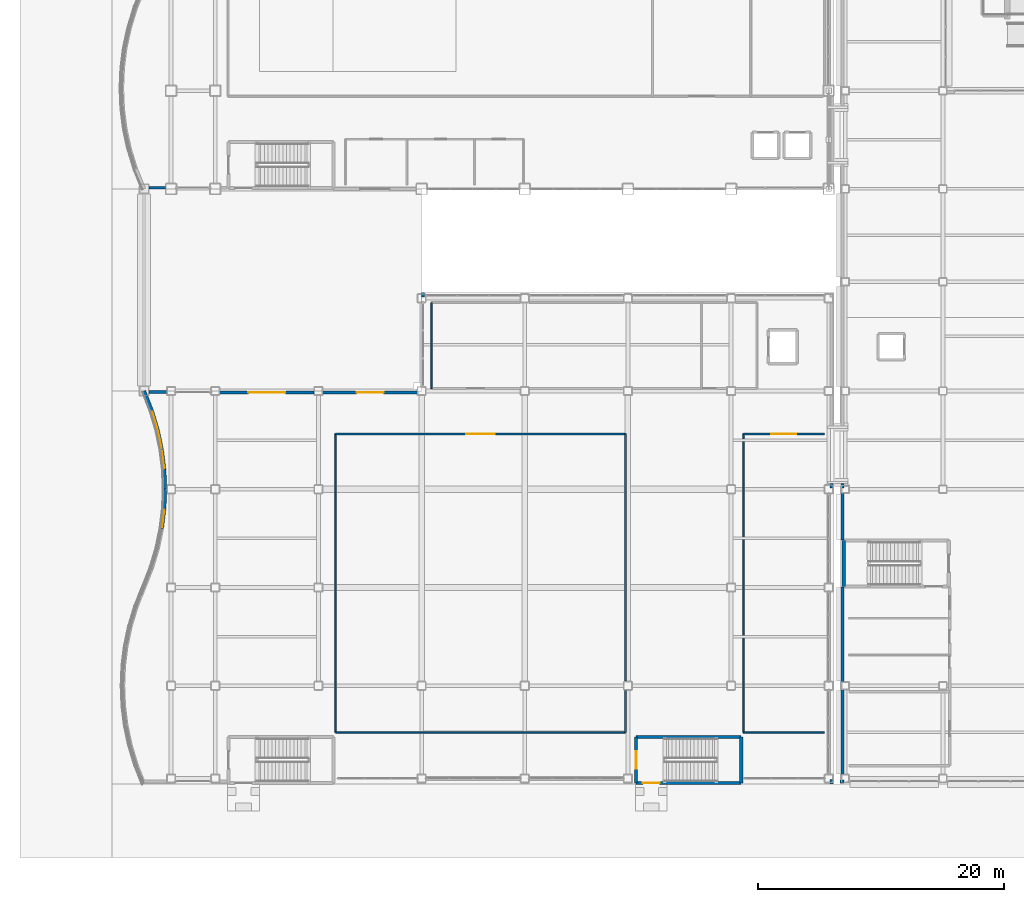
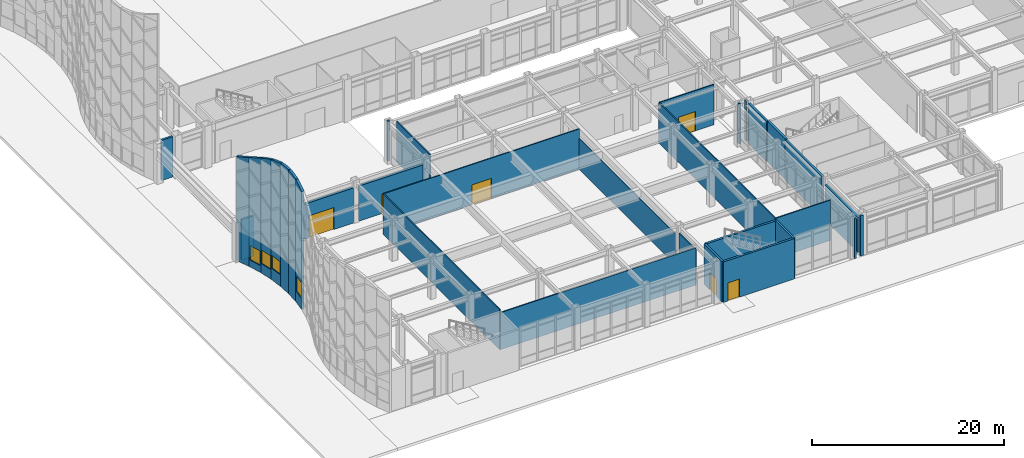
# One storey, part 125 of 165: 33 walls, 6 doors, 4 windows, 10 openings.
"""IFC4 building model written with IfcOpenShell, lengths in metres."""

from ifc_helpers import new_model, si_unit, direction, frame, frame_2d, origin, place, context, subcontext, project, spatial, polyline, rectangle, outline, extrude, material, layer, layer_set, type_object, element, fill, save


model = new_model("IFC4")

# Units and contexts
model_context = context("Model", 3, precision=1e-05, world=origin(), true_north=direction((0.0, 1.0)))
body_context = subcontext(model_context, "Body", "Model", "MODEL_VIEW")
ifc_project = project(units=[si_unit("LENGTHUNIT", "METRE"), si_unit("AREAUNIT", "SQUARE_METRE"), si_unit("VOLUMEUNIT", "CUBIC_METRE"), si_unit("PLANEANGLEUNIT", "RADIAN"), si_unit("MASSUNIT", "GRAM", prefix="KILO")], contexts=[model_context])

# Site, building, storey
site_placement = place(None, origin())
site = spatial("IfcSite", under=ifc_project, at=site_placement, CompositionType="ELEMENT")
building_placement = place(site_placement, origin())
building = spatial("IfcBuilding", under=site, at=building_placement, Name="Kazehara Bluff Congress Hotel", CompositionType="ELEMENT")
storey_placement = place(building_placement, origin())
storey = spatial("IfcBuildingStorey", under=building, at=storey_placement, Name="L00", CompositionType="ELEMENT", Elevation=0.0)

# Wall, opening, door
ifc_material_1 = material(Name="Concrete C40/50", Category="concrete")
ifc_layer_1 = layer(ifc_material_1, 0.25)
ifc_layer_set_1 = layer_set([ifc_layer_1], Name="Concrete C40/50")
wall_type_1 = type_object("IfcWallType", Name="TP-CW-RC", PredefinedType="SHEAR", material=ifc_layer_set_1)
wall_1_placement = place(storey_placement, frame((42.675048828125, 0.074951171875, 0.0), z_axis=(0.0, 0.0, 1.0), x_axis=(0.0, 1.0, 0.0)))
wall_1 = element("IfcWall", 1, at=wall_1_placement, inside=storey, type_object=wall_type_1, Name="L00 ST-05 core wall near", PredefinedType="SHEAR", context=body_context, shape_type="SweptSolid", body=[
    extrude(rectangle(XDim=3.75, YDim=0.25, at=frame_2d((1.875, 0.0))), origin(), (0.0, 0.0, 1.0), 5.14990234375),
])
opening_1_placement = place(wall_1_placement, frame((1.175048828125, 0.0, 0.0)))
opening_1 = element("IfcOpeningElement", 2, at=opening_1_placement, cuts=wall_1, Name="Opening FD-03", PredefinedType="OPENING", context=body_context, shape_type="SweptSolid", body=[
    extrude(rectangle(XDim=1.39990234375, YDim=2.25, at=frame_2d((0.699951171875, 1.125))), frame((0.0, 0.135009765625, 0.0), z_axis=(0.0, -1.0, 0.0), x_axis=(1.0, 0.0, 0.0)), (0.0, 0.0, 1.0), 0.27001953125),
])
ifc_material_2 = material(Name="Fire-rated painted steel leaf", Category="steel")
door_type_1 = type_object("IfcDoorType", Name="TP-FD-03", OperationType="NOTDEFINED", PredefinedType="DOOR", material=ifc_material_2)
door_1_placement = place(opening_1_placement, origin())
door_1 = element("IfcDoor", 3, at=door_1_placement, inside=storey, type_object=door_type_1, Name="L00 ST-05 fire stair door", OperationType="SINGLE_SWING_RIGHT", OverallHeight=2.25, OverallWidth=1.39990234375, PredefinedType="DOOR", context=body_context, shape_type="SweptSolid", body=[
    extrude(rectangle(XDim=1.39990234375, YDim=2.25, at=frame_2d((0.699951171875, 1.125))), frame((0.0, 0.02490234375, 0.0), z_axis=(0.0, -1.0, 0.0), x_axis=(1.0, 0.0, 0.0)), (0.0, 0.0, 1.0), 0.050048828125),
])
fill(opening_1, door_1)

# Wall
wall_2_placement = place(storey_placement, frame((51.22509765625, 3.824951171875, 0.0), z_axis=(0.0, 0.0, 1.0), x_axis=(0.0, -1.0, 0.0)))
element("IfcWall", 4, at=wall_2_placement, inside=storey, type_object=wall_type_1, Name="L00 ST-05 core wall far", PredefinedType="SHEAR", context=body_context, shape_type="SweptSolid", body=[
    extrude(rectangle(XDim=3.75, YDim=0.25, at=frame_2d((1.875, 0.0))), origin(), (0.0, 0.0, 1.0), 5.14990234375),
])

# Wall, opening, door
wall_3_placement = place(storey_placement, frame((51.22509765625, 0.074951171875, 0.0), z_axis=(0.0, 0.0, 1.0), x_axis=(-1.0, 0.0, 0.0)))
wall_3 = element("IfcWall", 5, at=wall_3_placement, inside=storey, type_object=wall_type_1, Name="L00 ST-05 core wall left", PredefinedType="SHEAR", context=body_context, shape_type="SweptSolid", body=[
    extrude(rectangle(XDim=8.550048828125, YDim=0.25, at=frame_2d((4.27490234375, 0.0))), origin(), (0.0, 0.0, 1.0), 5.14990234375),
])
opening_2_placement = place(wall_3_placement, frame((6.64990234375, 0.0, 0.0)))
opening_2 = element("IfcOpeningElement", 6, at=opening_2_placement, cuts=wall_3, Name="Opening ED-09", PredefinedType="OPENING", context=body_context, shape_type="SweptSolid", body=[
    extrude(rectangle(XDim=1.35009765625, YDim=2.300048828125, at=frame_2d((0.675048828125, 1.14990234375))), frame((0.0, 0.135009765625, 0.0), z_axis=(0.0, -1.0, 0.0), x_axis=(1.0, 0.0, 0.0)), (0.0, 0.0, 1.0), 0.27001953125),
])
ifc_material_3 = material(Name="Anodised aluminium", Category="aluminium")
door_type_2 = type_object("IfcDoorType", Name="TP-ED-09", OperationType="NOTDEFINED", PredefinedType="DOOR", material=ifc_material_3)
door_2_placement = place(opening_2_placement, origin())
door_2 = element("IfcDoor", 7, at=door_2_placement, inside=storey, type_object=door_type_2, Name="Escape Stair ST-05 final exit discharge door", OperationType="SINGLE_SWING_RIGHT", OverallHeight=2.300048828125, OverallWidth=1.35009765625, PredefinedType="DOOR", context=body_context, shape_type="SweptSolid", body=[
    extrude(rectangle(XDim=1.35009765625, YDim=2.300048828125, at=frame_2d((0.675048828125, 1.14990234375))), frame((0.0, 0.02490234375, 0.0), z_axis=(0.0, -1.0, 0.0), x_axis=(1.0, 0.0, 0.0)), (0.0, 0.0, 1.0), 0.050048828125),
])
fill(opening_2, door_2)

# Walls
wall_4_placement = place(storey_placement, frame((42.675048828125, 3.824951171875, 0.0), z_axis=(0.0, 0.0, 1.0), x_axis=(1.0, 0.0, 0.0)))
element("IfcWall", 8, at=wall_4_placement, inside=storey, type_object=wall_type_1, Name="L00 ST-05 core wall right", PredefinedType="SHEAR", context=body_context, shape_type="SweptSolid", body=[
    extrude(rectangle(XDim=8.550048828125, YDim=0.25, at=frame_2d((4.27490234375, 0.0))), origin(), (0.0, 0.0, 1.0), 5.14990234375),
])
wall_5_placement = place(storey_placement, frame((59.574951171875, 16.074951171875, 0.0), z_axis=(0.0, 0.0, 1.0), x_axis=(0.0, 1.0, 0.0)))
element("IfcWall", 9, at=wall_5_placement, inside=storey, type_object=wall_type_1, Name="L00 ST-08 core wall far", PredefinedType="SHEAR", context=body_context, shape_type="SweptSolid", body=[
    extrude(rectangle(XDim=3.75, YDim=0.25, at=frame_2d((1.875, 0.0))), origin(), (0.0, 0.0, 1.0), 5.14990234375),
])
ifc_material_4 = material(Name="Precast concrete C40/50", Category="concrete")
ifc_layer_2 = layer(ifc_material_4, 0.239990234375)
ifc_layer_set_2 = layer_set([ifc_layer_2], Name="Precast concrete C40/50")
wall_type_2 = type_object("IfcWallType", Name="TP-EW-240", PredefinedType="SOLIDWALL", material=ifc_layer_set_2)
wall_6_placement = place(storey_placement, frame((4.35009765625, 48.550048828125, 0.0), z_axis=(0.0, 0.0, 1.0), x_axis=(-1.0, 0.0, 0.0)))
element("IfcWall", 10, at=wall_6_placement, inside=storey, type_object=wall_type_2, Name="L00 V1 perimeter spandrel pier 504", PredefinedType="SOLIDWALL", context=body_context, shape_type="SweptSolid", body=[
    extrude(rectangle(XDim=1.35009765625, YDim=0.239990234375, at=frame_2d((0.675048828125, 0.0))), origin(), (0.0, 0.0, 1.0), 5.135009765625),
])
wall_7_placement = place(storey_placement, frame((58.580078125, 0.360107421875, 0.0), z_axis=(0.0, 0.0, 1.0), x_axis=(0.0, -1.0, 0.0)))
element("IfcWall", 11, at=wall_7_placement, inside=storey, type_object=wall_type_2, Name="L00 V2 perimeter spandrel pier 506", PredefinedType="SOLIDWALL", context=body_context, shape_type="SweptSolid", body=[
    extrude(rectangle(XDim=0.360107421875, YDim=0.239990234375, at=frame_2d((0.18017578125, 0.0))), origin(), (0.0, 0.0, 1.0), 5.135009765625),
])
wall_8_placement = place(storey_placement, frame((58.580078125, 24.449951171875, 0.0), z_axis=(0.0, 0.0, 1.0), x_axis=(0.0, -1.0, 0.0)))
element("IfcWall", 12, at=wall_8_placement, inside=storey, type_object=wall_type_2, Name="L00 V2 perimeter spandrel pier 507", PredefinedType="SOLIDWALL", context=body_context, shape_type="SweptSolid", body=[
    extrude(rectangle(XDim=0.35986328125, YDim=0.239990234375, at=frame_2d((0.179931640625, 0.0))), origin(), (0.0, 0.0, 1.0), 5.135009765625),
])
wall_9_placement = place(storey_placement, frame((25.300048828125, 39.639892578125, 0.0), z_axis=(0.0, 0.0, 1.0), x_axis=(0.0, 1.0, 0.0)))
element("IfcWall", 13, at=wall_9_placement, inside=storey, type_object=wall_type_2, Name="L00 V2 perimeter spandrel pier 511", PredefinedType="SOLIDWALL", context=body_context, shape_type="SweptSolid", body=[
    extrude(rectangle(XDim=0.360107421875, YDim=0.239990234375, at=frame_2d((0.18017578125, 0.0))), origin(), (0.0, 0.0, 1.0), 5.135009765625),
])
wall_10_placement = place(storey_placement, frame((3.010009765625, 31.89990234375, 0.0), z_axis=(0.0, 0.0, 1.0), x_axis=(1.0, 0.0, 0.0)))
element("IfcWall", 14, at=wall_10_placement, inside=storey, type_object=wall_type_2, Name="L00 V2 perimeter spandrel pier 512", PredefinedType="SOLIDWALL", context=body_context, shape_type="SweptSolid", body=[
    extrude(rectangle(XDim=1.43994140625, YDim=0.239990234375, at=frame_2d((0.719970703125, 0.0))), origin(), (0.0, 0.0, 1.0), 5.135009765625),
])
wall_11_placement = place(storey_placement, frame((59.610107421875, 0.219970703125, 0.0), z_axis=(0.0, 0.0, 1.0), x_axis=(-1.0, 0.0, 0.0)))
element("IfcWall", 15, at=wall_11_placement, inside=storey, type_object=wall_type_2, Name="L00 V4 perimeter spandrel pier 525", PredefinedType="SOLIDWALL", context=body_context, shape_type="SweptSolid", body=[
    extrude(rectangle(XDim=0.360107421875, YDim=0.239990234375, at=frame_2d((0.18017578125, 0.0))), origin(), (0.0, 0.0, 1.0), 5.135009765625),
])
wall_12_placement = place(storey_placement, frame((59.469970703125, 0.77490234375, 0.0), z_axis=(0.0, 0.0, 1.0), x_axis=(0.0, 1.0, 0.0)))
element("IfcWall", 16, at=wall_12_placement, inside=storey, type_object=wall_type_2, Name="L00 V4 perimeter spandrel pier 543", PredefinedType="SOLIDWALL", context=body_context, shape_type="SweptSolid", body=[
    extrude(rectangle(XDim=6.900146484375, YDim=0.239990234375, at=frame_2d((3.4501953125, 0.0))), origin(), (0.0, 0.0, 1.0), 4.47509765625),
])
wall_13_placement = place(storey_placement, frame((59.469970703125, 8.324951171875, 0.0), z_axis=(0.0, 0.0, 1.0), x_axis=(0.0, 1.0, 0.0)))
element("IfcWall", 17, at=wall_13_placement, inside=storey, type_object=wall_type_2, Name="L00 V4 perimeter spandrel pier 544", PredefinedType="SOLIDWALL", context=body_context, shape_type="SweptSolid", body=[
    extrude(rectangle(XDim=7.7099609375, YDim=0.239990234375, at=frame_2d((3.85498046875, 0.0))), origin(), (0.0, 0.0, 1.0), 5.135009765625),
])
wall_14_placement = place(storey_placement, frame((59.469970703125, 19.864990234375, 0.0), z_axis=(0.0, 0.0, 1.0), x_axis=(0.0, 1.0, 0.0)))
element("IfcWall", 18, at=wall_14_placement, inside=storey, type_object=wall_type_2, Name="L00 V4 perimeter spandrel pier 545", PredefinedType="SOLIDWALL", context=body_context, shape_type="SweptSolid", body=[
    extrude(rectangle(XDim=3.81005859375, YDim=0.239990234375, at=frame_2d((1.905029296875, 0.0))), origin(), (0.0, 0.0, 1.0), 5.135009765625),
])
wall_15_placement = place(storey_placement, frame((59.469970703125, 24.090087890625, 0.0), z_axis=(0.0, 0.0, 1.0), x_axis=(0.0, 1.0, 0.0)))
element("IfcWall", 19, at=wall_15_placement, inside=storey, type_object=wall_type_2, Name="L00 V4 perimeter spandrel pier 546", PredefinedType="SOLIDWALL", context=body_context, shape_type="SweptSolid", body=[
    extrude(rectangle(XDim=0.35986328125, YDim=0.239990234375, at=frame_2d((0.179931640625, 0.0))), origin(), (0.0, 0.0, 1.0), 5.135009765625),
])

# Wall, opening, door
ifc_material_5 = material(Name="Precast concrete C40/50", Category="concrete")
ifc_layer_3 = layer(ifc_material_5, 0.260009765625)
ifc_layer_set_3 = layer_set([ifc_layer_3], Name="Precast concrete C40/50")
wall_type_3 = type_object("IfcWallType", Name="TP-EW-260", PredefinedType="SOLIDWALL", material=ifc_layer_set_3)
wall_16_placement = place(storey_placement, frame((17.14990234375, 31.8798828125, 0.0), z_axis=(0.0, 0.0, 1.0), x_axis=(1.0, 0.0, 0.0)))
wall_16 = element("IfcWall", 20, at=wall_16_placement, inside=storey, type_object=wall_type_3, Name="L00 exit host wall EX-V2F", PredefinedType="SOLIDWALL", context=body_context, shape_type="SweptSolid", body=[
    extrude(rectangle(XDim=7.7001953125, YDim=0.260009765625, at=frame_2d((3.85009765625, 0.0))), origin(), (0.0, 0.0, 1.0), 4.47509765625),
])
opening_3_placement = place(wall_16_placement, frame((2.75, 0.0, 0.0)))
opening_3 = element("IfcOpeningElement", 21, at=opening_3_placement, cuts=wall_16, Name="Opening ED-03", PredefinedType="OPENING", context=body_context, shape_type="SweptSolid", body=[
    extrude(rectangle(XDim=2.199951171875, YDim=2.5, at=frame_2d((1.10009765625, 1.25))), frame((0.0, 0.139892578125, 0.0), z_axis=(0.0, -1.0, 0.0), x_axis=(1.0, 0.0, 0.0)), (0.0, 0.0, 1.0), 0.280029296875),
])
ifc_material_6 = material(Name="Anodised aluminium", Category="aluminium")
door_type_3 = type_object("IfcDoorType", Name="TP-ED-03", OperationType="DOUBLE_DOOR_SINGLE_SWING", PredefinedType="DOOR", material=ifc_material_6)
door_3_placement = place(opening_3_placement, origin())
door_3 = element("IfcDoor", 22, at=door_3_placement, inside=storey, type_object=door_type_3, Name="Ballroom forecourt north exit door", OperationType="DOUBLE_DOOR_SINGLE_SWING", OverallHeight=2.5, OverallWidth=2.199951171875, PredefinedType="DOOR", context=body_context, shape_type="SweptSolid", body=[
    extrude(rectangle(XDim=2.199951171875, YDim=2.5, at=frame_2d((1.10009765625, 1.25))), frame((0.0, 0.02490234375, 0.0), z_axis=(0.0, -1.0, 0.0), x_axis=(1.0, 0.0, 0.0)), (0.0, 0.0, 1.0), 0.050048828125),
])
fill(opening_3, door_3)

wall_17_placement = place(storey_placement, frame((8.75, 31.8798828125, 0.0), z_axis=(0.0, 0.0, 1.0), x_axis=(1.0, 0.0, 0.0)))
wall_17 = element("IfcWall", 23, at=wall_17_placement, inside=storey, type_object=wall_type_3, Name="L00 exit host wall EX-V2FW", PredefinedType="SOLIDWALL", context=body_context, shape_type="SweptSolid", body=[
    extrude(rectangle(XDim=7.699951171875, YDim=0.260009765625, at=frame_2d((3.85009765625, 0.0))), origin(), (0.0, 0.0, 1.0), 4.47509765625),
])
opening_4_placement = place(wall_17_placement, frame((2.35009765625, 0.0, 0.0)))
opening_4 = element("IfcOpeningElement", 24, at=opening_4_placement, cuts=wall_17, Name="Opening ED-06", PredefinedType="OPENING", context=body_context, shape_type="SweptSolid", body=[
    extrude(rectangle(XDim=3.0, YDim=2.800048828125, at=frame_2d((1.5, 1.39990234375))), frame((0.0, 0.139892578125, 0.0), z_axis=(0.0, -1.0, 0.0), x_axis=(1.0, 0.0, 0.0)), (0.0, 0.0, 1.0), 0.280029296875),
])
ifc_material_7 = material(Name="Anodised aluminium", Category="aluminium")
door_type_4 = type_object("IfcDoorType", Name="TP-ED-06", OperationType="DOUBLE_DOOR_SINGLE_SWING", PredefinedType="DOOR", material=ifc_material_7)
door_4_placement = place(opening_4_placement, origin())
door_4 = element("IfcDoor", 25, at=door_4_placement, inside=storey, type_object=door_type_4, Name="Ballroom forecourt west exit door", OperationType="DOUBLE_DOOR_SINGLE_SWING", OverallHeight=2.800048828125, OverallWidth=3.0, PredefinedType="DOOR", context=body_context, shape_type="SweptSolid", body=[
    extrude(rectangle(XDim=3.0, YDim=2.800048828125, at=frame_2d((1.5, 1.39990234375))), frame((0.0, 0.02490234375, 0.0), z_axis=(0.0, -1.0, 0.0), x_axis=(1.0, 0.0, 0.0)), (0.0, 0.0, 1.0), 0.050048828125),
])
fill(opening_4, door_4)

# Wall, opening, window
ifc_material_8 = material(Name="Precast concrete C40/50", Category="concrete")
ifc_layer_4 = layer(ifc_material_8, 0.280029296875)
ifc_layer_set_4 = layer_set([ifc_layer_4], Name="Precast concrete C40/50")
wall_type_4 = type_object("IfcWallType", Name="TP-EW-280", PredefinedType="SOLIDWALL", material=ifc_layer_set_4)
wall_18_placement = place(storey_placement, frame((4.050048828125, 20.800048828125, 0.0), z_axis=(0.0, 0.0, 1.0), x_axis=(0.124016097791, 0.992280206136, 0.0)))
wall_18 = element("IfcWall", 26, at=wall_18_placement, inside=storey, type_object=wall_type_4, Name="Wave ribbon wall WR-V2 chord 14", PredefinedType="SOLIDWALL", context=body_context, shape_type="SweptSolid", body=[
    extrude(outline(polyline([(0.0, 0.0), (1.6123046875, 0.0), (1.610107421875, 15.56005859375), (1.409912109375, 15.5048828125), (1.2099609375, 15.449951171875), (1.0048828125, 15.389892578125), (0.804931640625, 15.324951171875), (0.60498046875, 15.260009765625), (0.39990234375, 15.18505859375), (0.199951171875, 15.110107421875), (0.0, 15.034912109375), (0.0, 0.0)])), frame((0.0, 0.14013671875, 0.0), z_axis=(0.0, -1.0, 0.0), x_axis=(1.0, 0.0, 0.0)), (0.0, 0.0, 1.0), 0.280029296875),
])
opening_5_placement = place(wall_18_placement, frame((0.090087890625, 0.0, 1.3798828125)))
opening_5 = element("IfcOpeningElement", 27, at=opening_5_placement, cuts=wall_18, Name="Opening WW-06", PredefinedType="OPENING", context=body_context, shape_type="SweptSolid", body=[
    extrude(rectangle(XDim=1.429931640625, YDim=2.0, at=frame_2d((0.71484375, 1.0))), frame((0.0, 0.14990234375, 0.0), z_axis=(0.0, -1.0, 0.0), x_axis=(1.0, 0.0, 0.0)), (0.0, 0.0, 1.0), 0.300048828125),
])
ifc_material_9 = material(Name="Insulated low-E double glazing", Category="glass")
window_type_1 = type_object("IfcWindowType", Name="TP-WW-06", PartitioningType="DOUBLE_PANEL_VERTICAL", PredefinedType="WINDOW", material=ifc_material_9)
window_1_placement = place(opening_5_placement, origin())
window_1 = element("IfcWindow", 28, at=window_1_placement, inside=storey, type_object=window_type_1, Name="Wave foyer ribbon window WR-V2-14", OverallHeight=2.0, OverallWidth=1.429931640625, PartitioningType="SINGLE_PANEL", PredefinedType="WINDOW", context=body_context, shape_type="SweptSolid", body=[
    extrude(rectangle(XDim=1.429931640625, YDim=2.0, at=frame_2d((0.71484375, 1.0))), frame((0.0, 0.030029296875, 0.0), z_axis=(0.0, -1.0, 0.0), x_axis=(1.0, 0.0, 0.0)), (0.0, 0.0, 1.0), 0.06005859375),
])
fill(opening_5, window_1)

# Walls
wall_19_placement = place(storey_placement, frame((4.25, 22.39990234375, 0.0), z_axis=(0.0, 0.0, 1.0), x_axis=(0.040552516117, 0.99917740839, 0.0)))
element("IfcWall", 29, at=wall_19_placement, inside=storey, type_object=wall_type_4, Name="Wave ribbon wall WR-V2 chord 15", PredefinedType="SOLIDWALL", context=body_context, shape_type="SweptSolid", body=[
    extrude(outline(polyline([(0.0, 0.0), (1.601318359375, 0.0), (1.60009765625, 15.794921875), (1.39990234375, 15.784912109375), (1.199951171875, 15.764892578125), (1.0, 15.7451171875), (0.800048828125, 15.719970703125), (0.60009765625, 15.68505859375), (0.39990234375, 15.64990234375), (0.199951171875, 15.60498046875), (0.0, 15.56005859375), (0.0, 0.0)])), frame((0.0, 0.14013671875, 0.0), z_axis=(0.0, -1.0, 0.0), x_axis=(1.0, 0.0, 0.0)), (0.0, 0.0, 1.0), 0.280029296875),
])
wall_20_placement = place(storey_placement, frame((4.31494140625, 24.0, 0.0), z_axis=(0.0, 0.0, 1.0), x_axis=(-0.040552516117, 0.99917740839, 0.0)))
element("IfcWall", 30, at=wall_20_placement, inside=storey, type_object=wall_type_4, Name="Wave ribbon wall WR-V2 chord 16", PredefinedType="SOLIDWALL", context=body_context, shape_type="SweptSolid", body=[
    extrude(outline(polyline([(0.0, 0.0), (1.601318359375, 0.0), (1.60009765625, 15.68505859375), (1.39990234375, 15.715087890625), (1.199951171875, 15.7451171875), (1.0, 15.764892578125), (0.800048828125, 15.780029296875), (0.60009765625, 15.794921875), (0.39990234375, 15.800048828125), (0.199951171875, 15.800048828125), (0.0, 15.794921875), (0.0, 0.0)])), frame((0.0, 0.14013671875, 0.0), z_axis=(0.0, -1.0, 0.0), x_axis=(1.0, 0.0, 0.0)), (0.0, 0.0, 1.0), 0.280029296875),
])

# Wall, opening, window
wall_21_placement = place(storey_placement, frame((4.25, 25.60009765625, 0.0), z_axis=(0.0, 0.0, 1.0), x_axis=(-0.124016097791, 0.992280206136, 0.0)))
wall_21 = element("IfcWall", 31, at=wall_21_placement, inside=storey, type_object=wall_type_4, Name="Wave ribbon wall WR-V2 chord 17", PredefinedType="SOLIDWALL", context=body_context, shape_type="SweptSolid", body=[
    extrude(outline(polyline([(0.0, 0.0), (1.6123046875, 0.0), (1.610107421875, 15.2548828125), (1.409912109375, 15.320068359375), (1.2099609375, 15.385009765625), (1.0048828125, 15.445068359375), (0.804931640625, 15.5048828125), (0.60498046875, 15.554931640625), (0.39990234375, 15.60498046875), (0.199951171875, 15.64501953125), (0.0, 15.68505859375), (0.0, 0.0)])), frame((0.0, 0.14013671875, 0.0), z_axis=(0.0, -1.0, 0.0), x_axis=(1.0, 0.0, 0.0)), (0.0, 0.0, 1.0), 0.280029296875),
])
opening_6_placement = place(wall_21_placement, frame((0.090087890625, 0.0, 1.4599609375)))
opening_6 = element("IfcOpeningElement", 32, at=opening_6_placement, cuts=wall_21, Name="Opening WW-01", PredefinedType="OPENING", context=body_context, shape_type="SweptSolid", body=[
    extrude(rectangle(XDim=1.429931640625, YDim=1.64990234375, at=frame_2d((0.71484375, 0.824951171875))), frame((0.0, 0.14990234375, 0.0), z_axis=(0.0, -1.0, 0.0), x_axis=(1.0, 0.0, 0.0)), (0.0, 0.0, 1.0), 0.300048828125),
])
ifc_material_10 = material(Name="Insulated low-E double glazing", Category="glass")
window_type_2 = type_object("IfcWindowType", Name="TP-WW-01", PartitioningType="SINGLE_PANEL", PredefinedType="WINDOW", material=ifc_material_10)
window_2_placement = place(opening_6_placement, origin())
window_2 = element("IfcWindow", 33, at=window_2_placement, inside=storey, type_object=window_type_2, Name="Wave foyer ribbon window WR-V2-17", OverallHeight=1.64990234375, OverallWidth=1.429931640625, PartitioningType="SINGLE_PANEL", PredefinedType="WINDOW", context=body_context, shape_type="SweptSolid", body=[
    extrude(rectangle(XDim=1.429931640625, YDim=1.64990234375, at=frame_2d((0.71484375, 0.824951171875))), frame((0.0, 0.030029296875, 0.0), z_axis=(0.0, -1.0, 0.0), x_axis=(1.0, 0.0, 0.0)), (0.0, 0.0, 1.0), 0.06005859375),
])
fill(opening_6, window_2)

wall_22_placement = place(storey_placement, frame((4.050048828125, 27.199951171875, 0.0), z_axis=(0.0, 0.0, 1.0), x_axis=(-0.204896426963, 0.97878366058, 0.0)))
wall_22 = element("IfcWall", 34, at=wall_22_placement, inside=storey, type_object=wall_type_4, Name="Wave ribbon wall WR-V2 chord 18", PredefinedType="SOLIDWALL", context=body_context, shape_type="SweptSolid", body=[
    extrude(outline(polyline([(0.0, 0.0), (1.634765625, 0.0), (1.635009765625, 14.594970703125), (1.429931640625, 14.68505859375), (1.22509765625, 14.77490234375), (1.02001953125, 14.860107421875), (0.820068359375, 14.945068359375), (0.614990234375, 15.02490234375), (0.409912109375, 15.10498046875), (0.205078125, 15.179931640625), (0.0, 15.2548828125), (0.0, 0.0)])), frame((0.0, 0.14013671875, 0.0), z_axis=(0.0, -1.0, 0.0), x_axis=(1.0, 0.0, 0.0)), (0.0, 0.0, 1.0), 0.280029296875),
])
opening_7_placement = place(wall_22_placement, frame((0.090087890625, 0.0, 1.199951171875)))
opening_7 = element("IfcOpeningElement", 35, at=opening_7_placement, cuts=wall_22, Name="Opening WW-02", PredefinedType="OPENING", context=body_context, shape_type="SweptSolid", body=[
    extrude(rectangle(XDim=1.455078125, YDim=1.75, at=frame_2d((0.7275390625, 0.875))), frame((0.0, 0.14990234375, 0.0), z_axis=(0.0, -1.0, 0.0), x_axis=(1.0, 0.0, 0.0)), (0.0, 0.0, 1.0), 0.300048828125),
])
ifc_material_11 = material(Name="Insulated low-E double glazing", Category="glass")
window_type_3 = type_object("IfcWindowType", Name="TP-WW-02", PartitioningType="SINGLE_PANEL", PredefinedType="WINDOW", material=ifc_material_11)
window_3_placement = place(opening_7_placement, origin())
window_3 = element("IfcWindow", 36, at=window_3_placement, inside=storey, type_object=window_type_3, Name="Wave foyer ribbon window WR-V2-18", OverallHeight=1.75, OverallWidth=1.455078125, PartitioningType="SINGLE_PANEL", PredefinedType="WINDOW", context=body_context, shape_type="SweptSolid", body=[
    extrude(rectangle(XDim=1.455078125, YDim=1.75, at=frame_2d((0.7275390625, 0.875))), frame((0.0, 0.030029296875, 0.0), z_axis=(0.0, -1.0, 0.0), x_axis=(1.0, 0.0, 0.0)), (0.0, 0.0, 1.0), 0.06005859375),
])
fill(opening_7, window_3)

wall_23_placement = place(storey_placement, frame((3.715087890625, 28.800048828125, 0.0), z_axis=(0.0, 0.0, 1.0), x_axis=(-0.287361295213, 0.957822262225, 0.0)))
wall_23 = element("IfcWall", 37, at=wall_23_placement, inside=storey, type_object=wall_type_4, Name="Wave ribbon wall WR-V2 chord 19", PredefinedType="SOLIDWALL", context=body_context, shape_type="SweptSolid", body=[
    extrude(outline(polyline([(0.0, 0.0), (1.67041015625, 0.0), (1.669921875, 13.875), (1.4599609375, 13.965087890625), (1.25, 14.050048828125), (1.044921875, 14.139892578125), (0.8349609375, 14.22998046875), (0.625, 14.324951171875), (0.419921875, 14.4150390625), (0.2099609375, 14.5048828125), (0.0, 14.594970703125), (0.0, 0.0)])), frame((0.0, 0.14013671875, 0.0), z_axis=(0.0, -1.0, 0.0), x_axis=(1.0, 0.0, 0.0)), (0.0, 0.0, 1.0), 0.280029296875),
])
opening_8_placement = place(wall_23_placement, frame((0.090087890625, 0.0, 0.8701171875)))
opening_8 = element("IfcOpeningElement", 38, at=opening_8_placement, cuts=wall_23, Name="Opening WW-03", PredefinedType="OPENING", context=body_context, shape_type="SweptSolid", body=[
    extrude(rectangle(XDim=1.489990234375, YDim=1.85009765625, at=frame_2d((0.7451171875, 0.925048828125))), frame((0.0, 0.14990234375, 0.0), z_axis=(0.0, -1.0, 0.0), x_axis=(1.0, 0.0, 0.0)), (0.0, 0.0, 1.0), 0.300048828125),
])
ifc_material_12 = material(Name="Insulated low-E double glazing", Category="glass")
window_type_4 = type_object("IfcWindowType", Name="TP-WW-03", PartitioningType="SINGLE_PANEL", PredefinedType="WINDOW", material=ifc_material_12)
window_4_placement = place(opening_8_placement, origin())
window_4 = element("IfcWindow", 39, at=window_4_placement, inside=storey, type_object=window_type_4, Name="Wave foyer ribbon window WR-V2-19", OverallHeight=1.85009765625, OverallWidth=1.489990234375, PartitioningType="SINGLE_PANEL", PredefinedType="WINDOW", context=body_context, shape_type="SweptSolid", body=[
    extrude(rectangle(XDim=1.489990234375, YDim=1.85009765625, at=frame_2d((0.7451171875, 0.925048828125))), frame((0.0, 0.030029296875, 0.0), z_axis=(0.0, -1.0, 0.0), x_axis=(1.0, 0.0, 0.0)), (0.0, 0.0, 1.0), 0.06005859375),
])
fill(opening_8, window_4)

# Walls
wall_24_placement = place(storey_placement, frame((3.235107421875, 30.39990234375, 0.0), z_axis=(0.0, 0.0, 1.0), x_axis=(-0.368870803066, 0.92948067793, 0.0)))
element("IfcWall", 40, at=wall_24_placement, inside=storey, type_object=wall_type_4, Name="Wave ribbon wall WR-V2 chord 20", PredefinedType="SOLIDWALL", context=body_context, shape_type="SweptSolid", body=[
    extrude(outline(polyline([(0.0, 0.0), (1.721435546875, 0.0), (1.719970703125, 13.284912109375), (1.5048828125, 13.344970703125), (1.2900390625, 13.405029296875), (1.074951171875, 13.47509765625), (0.860107421875, 13.550048828125), (0.64501953125, 13.625), (0.429931640625, 13.705078125), (0.215087890625, 13.7900390625), (0.0, 13.875), (0.0, 0.0)])), frame((0.0, 0.14013671875, 0.0), z_axis=(0.0, -1.0, 0.0), x_axis=(1.0, 0.0, 0.0)), (0.0, 0.0, 1.0), 0.280029296875),
])
ifc_material_13 = material(Name="Fire-rated gypsum board stud partition")
ifc_layer_5 = layer(ifc_material_13, 0.1298828125)
ifc_layer_set_5 = layer_set([ifc_layer_5], Name="Fire-rated gypsum board stud partition")
wall_type_5 = type_object("IfcWallType", Name="TP-PT-130", PredefinedType="PARTITIONING", material=ifc_layer_set_5)
wall_25_placement = place(storey_placement, frame((18.199951171875, 4.199951171875, 0.0), z_axis=(0.0, 0.0, 1.0), x_axis=(1.0, 0.0, 0.0)))
element("IfcWall", 41, at=wall_25_placement, inside=storey, type_object=wall_type_5, Name="L00 partition PT-130 58", PredefinedType="PARTITIONING", context=body_context, shape_type="SweptSolid", body=[
    extrude(rectangle(XDim=23.60009765625, YDim=0.1298828125, at=frame_2d((11.800048828125, 0.0))), origin(), (0.0, 0.0, 1.0), 4.72509765625),
])
wall_26_placement = place(storey_placement, frame((51.39990234375, 4.199951171875, 0.0), z_axis=(0.0, 0.0, 1.0), x_axis=(1.0, 0.0, 0.0)))
element("IfcWall", 42, at=wall_26_placement, inside=storey, type_object=wall_type_5, Name="L00 partition PT-130 59", PredefinedType="PARTITIONING", context=body_context, shape_type="SweptSolid", body=[
    extrude(rectangle(XDim=6.60009765625, YDim=0.1298828125, at=frame_2d((3.300048828125, 0.0))), origin(), (0.0, 0.0, 1.0), 5.135009765625),
])

# Wall, opening, door
wall_27_placement = place(storey_placement, frame((18.199951171875, 28.5, 0.0), z_axis=(0.0, 0.0, 1.0), x_axis=(1.0, 0.0, 0.0)))
wall_27 = element("IfcWall", 43, at=wall_27_placement, inside=storey, type_object=wall_type_5, Name="L00 partition PT-130 65", PredefinedType="PARTITIONING", context=body_context, shape_type="SweptSolid", body=[
    extrude(rectangle(XDim=23.60009765625, YDim=0.1298828125, at=frame_2d((11.800048828125, 0.0))), origin(), (0.0, 0.0, 1.0), 5.135009765625),
])
opening_9_placement = place(wall_27_placement, frame((10.64990234375, 0.0, 0.0)))
opening_9 = element("IfcOpeningElement", 44, at=opening_9_placement, cuts=wall_27, Name="Opening AD-03", PredefinedType="OPENING", context=body_context, shape_type="SweptSolid", body=[
    extrude(rectangle(XDim=2.300048828125, YDim=2.550048828125, at=frame_2d((1.14990234375, 1.27490234375))), frame((0.0, 0.074951171875, 0.0), z_axis=(0.0, -1.0, 0.0), x_axis=(1.0, 0.0, 0.0)), (0.0, 0.0, 1.0), 0.14990234375),
])
ifc_material_14 = material(Name="Architectural oak veneer leaf")
door_type_5 = type_object("IfcDoorType", Name="TP-AD-03", OperationType="DOUBLE_DOOR_SINGLE_SWING", PredefinedType="DOOR", material=ifc_material_14)
door_5_placement = place(opening_9_placement, origin())
door_5 = element("IfcDoor", 45, at=door_5_placement, inside=storey, type_object=door_type_5, Name="L00 Grand Ballroom door", OperationType="DOUBLE_DOOR_SINGLE_SWING", OverallHeight=2.550048828125, OverallWidth=2.300048828125, PredefinedType="DOOR", context=body_context, shape_type="SweptSolid", body=[
    extrude(rectangle(XDim=2.300048828125, YDim=2.550048828125, at=frame_2d((1.14990234375, 1.27490234375))), frame((0.0, 0.02490234375, 0.0), z_axis=(0.0, -1.0, 0.0), x_axis=(1.0, 0.0, 0.0)), (0.0, 0.0, 1.0), 0.050048828125),
])
fill(opening_9, door_5)

wall_28_placement = place(storey_placement, frame((51.39990234375, 28.5, 0.0), z_axis=(0.0, 0.0, 1.0), x_axis=(1.0, 0.0, 0.0)))
wall_28 = element("IfcWall", 46, at=wall_28_placement, inside=storey, type_object=wall_type_5, Name="L00 partition PT-130 66", PredefinedType="PARTITIONING", context=body_context, shape_type="SweptSolid", body=[
    extrude(rectangle(XDim=6.60009765625, YDim=0.1298828125, at=frame_2d((3.300048828125, 0.0))), origin(), (0.0, 0.0, 1.0), 5.135009765625),
])
opening_10_placement = place(wall_28_placement, frame((2.27490234375, 0.0, 0.0)))
opening_10 = element("IfcOpeningElement", 47, at=opening_10_placement, cuts=wall_28, Name="Opening AD-05", PredefinedType="OPENING", context=body_context, shape_type="SweptSolid", body=[
    extrude(rectangle(XDim=2.050048828125, YDim=2.449951171875, at=frame_2d((1.02490234375, 1.22509765625))), frame((0.0, 0.074951171875, 0.0), z_axis=(0.0, -1.0, 0.0), x_axis=(1.0, 0.0, 0.0)), (0.0, 0.0, 1.0), 0.14990234375),
])
ifc_material_15 = material(Name="Architectural oak veneer leaf")
door_type_6 = type_object("IfcDoorType", Name="TP-AD-05", OperationType="DOUBLE_DOOR_SINGLE_SWING", PredefinedType="DOOR", material=ifc_material_15)
door_6_placement = place(opening_10_placement, origin())
door_6 = element("IfcDoor", 48, at=door_6_placement, inside=storey, type_object=door_type_6, Name="L00 Junior Ballroom door", OperationType="DOUBLE_DOOR_SINGLE_SWING", OverallHeight=2.449951171875, OverallWidth=2.050048828125, PredefinedType="DOOR", context=body_context, shape_type="SweptSolid", body=[
    extrude(rectangle(XDim=2.050048828125, YDim=2.449951171875, at=frame_2d((1.02490234375, 1.22509765625))), frame((0.0, 0.02490234375, 0.0), z_axis=(0.0, -1.0, 0.0), x_axis=(1.0, 0.0, 0.0)), (0.0, 0.0, 1.0), 0.050048828125),
])
fill(opening_10, door_6)

# Walls
wall_29_placement = place(storey_placement, frame((18.199951171875, 4.199951171875, 0.0), z_axis=(0.0, 0.0, 1.0), x_axis=(0.0, 1.0, 0.0)))
element("IfcWall", 49, at=wall_29_placement, inside=storey, type_object=wall_type_5, Name="L00 partition PT-130 94", PredefinedType="PARTITIONING", context=body_context, shape_type="SweptSolid", body=[
    extrude(rectangle(XDim=24.300048828125, YDim=0.1298828125, at=frame_2d((12.14990234375, 0.0))), origin(), (0.0, 0.0, 1.0), 5.135009765625),
])
wall_30_placement = place(storey_placement, frame((26.0, 32.199951171875, 0.0), z_axis=(0.0, 0.0, 1.0), x_axis=(0.0, 1.0, 0.0)))
element("IfcWall", 50, at=wall_30_placement, inside=storey, type_object=wall_type_5, Name="L00 partition PT-130 97", PredefinedType="PARTITIONING", context=body_context, shape_type="SweptSolid", body=[
    extrude(rectangle(XDim=7.0, YDim=0.1298828125, at=frame_2d((3.5, 0.0))), origin(), (0.0, 0.0, 1.0), 5.135009765625),
])
wall_31_placement = place(storey_placement, frame((41.800048828125, 4.199951171875, 0.0), z_axis=(0.0, 0.0, 1.0), x_axis=(0.0, 1.0, 0.0)))
element("IfcWall", 51, at=wall_31_placement, inside=storey, type_object=wall_type_5, Name="L00 partition PT-130 100", PredefinedType="PARTITIONING", context=body_context, shape_type="SweptSolid", body=[
    extrude(rectangle(XDim=3.429931640625, YDim=0.1298828125, at=frame_2d((1.71484375, 0.0))), origin(), (0.0, 0.0, 1.0), 4.47509765625),
])
wall_32_placement = place(storey_placement, frame((41.800048828125, 8.3701171875, 0.0), z_axis=(0.0, 0.0, 1.0), x_axis=(0.0, 1.0, 0.0)))
element("IfcWall", 52, at=wall_32_placement, inside=storey, type_object=wall_type_5, Name="L00 partition PT-130 101", PredefinedType="PARTITIONING", context=body_context, shape_type="SweptSolid", body=[
    extrude(rectangle(XDim=20.1298828125, YDim=0.1298828125, at=frame_2d((10.06494140625, 0.0))), origin(), (0.0, 0.0, 1.0), 3.925048828125),
])
wall_33_placement = place(storey_placement, frame((51.39990234375, 4.199951171875, 0.0), z_axis=(0.0, 0.0, 1.0), x_axis=(0.0, 1.0, 0.0)))
element("IfcWall", 53, at=wall_33_placement, inside=storey, type_object=wall_type_5, Name="L00 partition PT-130 104", PredefinedType="PARTITIONING", context=body_context, shape_type="SweptSolid", body=[
    extrude(rectangle(XDim=24.300048828125, YDim=0.1298828125, at=frame_2d((12.14990234375, 0.0))), origin(), (0.0, 0.0, 1.0), 5.135009765625),
])

save(model, "model.ifc")
